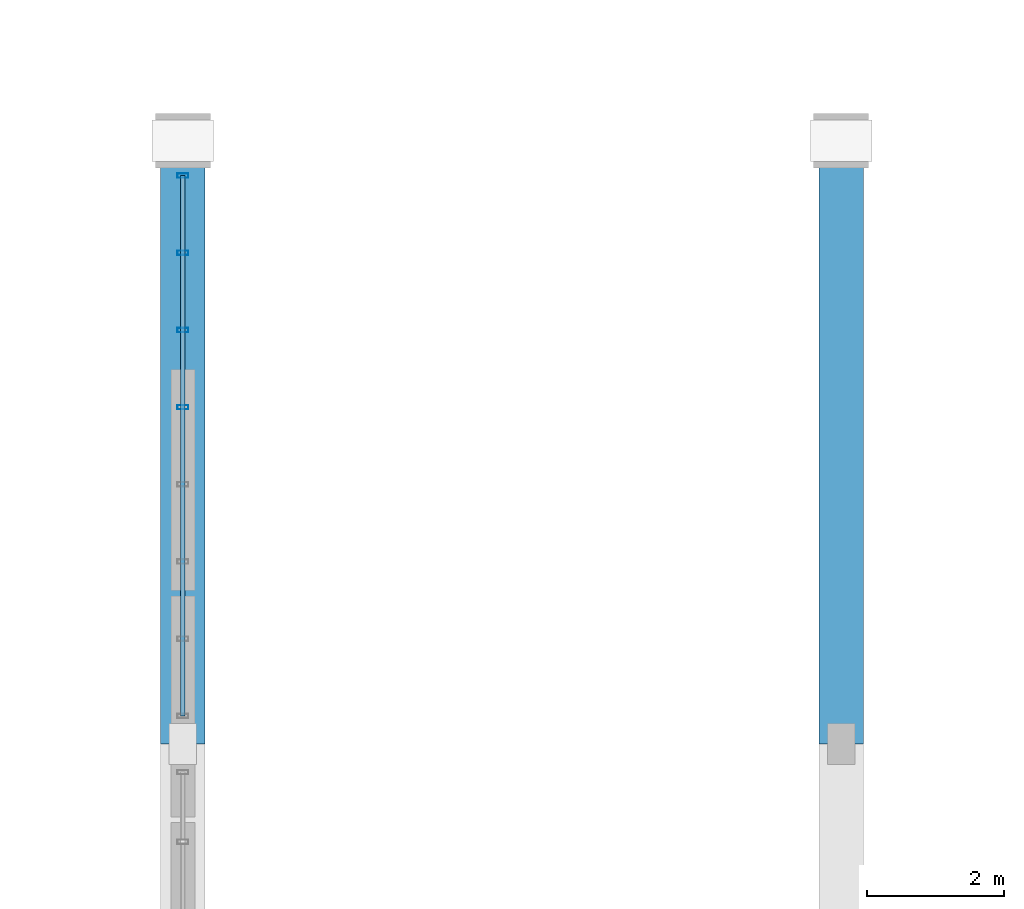
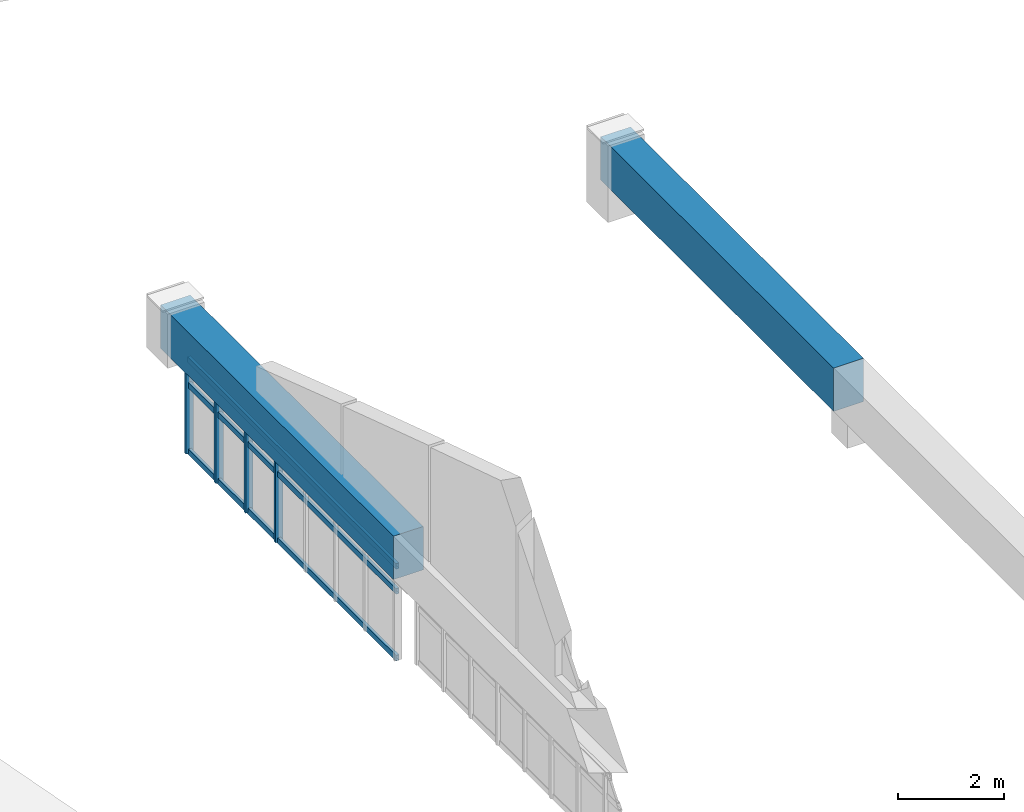
# One storey, part 14 of 65: 7 members, 2 beams, 1 element without a shape of its own.
"""IFC4 building model written with IfcOpenShell, lengths in metres."""

import ifcopenshell
import ifcopenshell.guid

model = None  # the IFC model being written
_history = None  # IfcOwnerHistory: only IFC2X3 demands one
_inside = {}  # id of a spatial element -> (the spatial element, [elements in it])
_under = {}  # id of a project, library or spatial element -> (it, [spatial elements below it])
_declared = {}  # id of a project -> (the project, [libraries it declares])
_typed = {}  # id of a type object -> (the type object, [elements of that type])
_made_of = {}  # id of a material, layer set ... -> (it, [elements and type objects made of it])


def new_model(schema):
    """Start an empty IFC model of exactly this schema.

    Asked for "IFC4X3", IfcOpenShell would pick the latest addendum, in which some entities
    have other attributes; the version numbers below select the first issue.
    IFC2X3 requires an IfcOwnerHistory on every rooted entity: one is made here for all.
    """
    global model, _history
    if schema == "IFC4X3":
        model = ifcopenshell.file(schema_version=(4, 3, 0, 0))
    else:
        model = ifcopenshell.file(schema=schema)
    _inside.clear()
    _under.clear()
    _declared.clear()
    _typed.clear()
    _made_of.clear()
    _history = None
    if model.schema == "IFC2X3":
        org = make("IfcOrganization", Name="unknown")
        user = make(
            "IfcPersonAndOrganization",
            ThePerson=make("IfcPerson", FamilyName="unknown"),
            TheOrganization=org,
        )
        app = make(
            "IfcApplication",
            ApplicationDeveloper=org,
            Version="unknown",
            ApplicationFullName="unknown",
            ApplicationIdentifier="unknown",
        )
        _history = make(
            "IfcOwnerHistory",
            OwningUser=user,
            OwningApplication=app,
            ChangeAction="ADDED",
            CreationDate=0,
        )
    return model


def make(cls, **values):
    """One entity of the class cls with the attributes given. An attribute that is None is left unset."""
    return model.create_entity(
        cls, **{name: value for name, value in values.items() if value is not None}
    )


def rooted(cls, **values):
    """An entity with a GlobalId (a new one), such as an element, a storey or a relation."""
    return make(cls, GlobalId=ifcopenshell.guid.new(), OwnerHistory=_history, **values)


def si_unit(unit_type, name, prefix=None):
    """IfcSIUnit, for example si_unit("LENGTHUNIT", "METRE", prefix="MILLI")."""
    return make("IfcSIUnit", UnitType=unit_type, Prefix=prefix, Name=name)


def assignment(units):
    """IfcUnitAssignment: the units of a project."""
    return None if units is None else make("IfcUnitAssignment", Units=units)


def point(xyz):
    """IfcCartesianPoint."""
    return None if xyz is None else make("IfcCartesianPoint", Coordinates=xyz)


def direction(xyz):
    """IfcDirection."""
    return None if xyz is None else make("IfcDirection", DirectionRatios=xyz)


def frame(location, z_axis=None, x_axis=None):
    """IfcAxis2Placement3D, a coordinate frame: its origin and axes. An axis left out is left unset."""
    return make(
        "IfcAxis2Placement3D",
        Location=point(location),
        Axis=direction(z_axis),
        RefDirection=direction(x_axis),
    )


def frame_2d(location, x_axis=None):
    """IfcAxis2Placement2D, a coordinate frame in the plane: its origin and x axis."""
    return make(
        "IfcAxis2Placement2D", Location=point(location), RefDirection=direction(x_axis)
    )


def origin():
    """The frame at (0, 0, 0) with its axes left unset."""
    return frame((0.0, 0.0, 0.0))


def origin_2d():
    """The frame at (0, 0) in the plane with its x axis left unset."""
    return frame_2d((0.0, 0.0))


def place(relative_to, where):
    """IfcLocalPlacement: puts the frame where relative to a parent placement (None: the world)."""
    return make(
        "IfcLocalPlacement", PlacementRelTo=relative_to, RelativePlacement=where
    )


def context(
    kind, dimensions, precision=None, world=None, true_north=None, identifier=None
):
    """IfcGeometricRepresentationContext, for example the 3D "Model" context."""
    return make(
        "IfcGeometricRepresentationContext",
        ContextIdentifier=identifier,
        ContextType=kind,
        CoordinateSpaceDimension=dimensions,
        Precision=precision,
        WorldCoordinateSystem=world,
        TrueNorth=true_north,
    )


def subcontext(parent, identifier, kind, view, scale=None):
    """IfcGeometricRepresentationSubContext, for example "Body" below "Model"."""
    return make(
        "IfcGeometricRepresentationSubContext",
        ContextIdentifier=identifier,
        ContextType=kind,
        ParentContext=parent,
        TargetScale=scale,
        TargetView=view,
    )


def project(units=None, contexts=None):
    """IfcProject with its units and contexts."""
    return rooted(
        "IfcProject",
        Name="project",
        RepresentationContexts=contexts,
        UnitsInContext=assignment(units),
    )


def spatial(cls, under=None, at=None, **own):
    """A site, building, storey or space (cls), placed at a placement, below another one or the project."""
    s = rooted(cls, ObjectPlacement=at, **own)
    if under is not None:
        _under.setdefault(under.id(), (under, []))[1].append(s)
    return s


def profile(cls, at=None, kind="AREA", **sizes):
    """A parametric profile (cls). Its sizes go by their IFC names, for example OverallWidth=200.0."""
    return make(cls, ProfileType=kind, Position=at, **sizes)


def rectangle(**sizes):
    """IfcRectangleProfileDef."""
    return profile("IfcRectangleProfileDef", **sizes)


def hollow_rectangle(**sizes):
    """IfcRectangleHollowProfileDef."""
    return profile("IfcRectangleHollowProfileDef", **sizes)


def extrude(swept, where, along, depth):
    """IfcExtrudedAreaSolid: the profile swept, set in the frame where, extruded along a direction by depth."""
    return make(
        "IfcExtrudedAreaSolid",
        SweptArea=swept,
        Position=where,
        ExtrudedDirection=direction(along),
        Depth=depth,
    )


def shape(context_of_items, identifier, shape_type, items):
    """IfcShapeRepresentation: the items that make up one representation, for example the "Body"."""
    return make(
        "IfcShapeRepresentation",
        ContextOfItems=context_of_items,
        RepresentationIdentifier=identifier,
        RepresentationType=shape_type,
        Items=items,
    )


def material(Name=None, Category=None):
    """IfcMaterial."""
    return make("IfcMaterial", Name=Name, Category=Category)


def layer(
    of_material, thickness, ventilated=None, Name=None, Category=None, Priority=None
):
    """IfcMaterialLayer: one layer of a wall or slab, of a material (None: an air gap)."""
    return make(
        "IfcMaterialLayer",
        Material=of_material,
        LayerThickness=thickness,
        IsVentilated=ventilated,
        Name=Name,
        Category=Category,
        Priority=Priority,
    )


def layer_set(layers, Name=None):
    """IfcMaterialLayerSet."""
    return make("IfcMaterialLayerSet", MaterialLayers=layers, LayerSetName=Name)


def material_profile(
    of_material, cross_section, Name=None, Category=None, Priority=None
):
    """IfcMaterialProfile: a cross section and its material."""
    return make(
        "IfcMaterialProfile",
        Name=Name,
        Material=of_material,
        Profile=cross_section,
        Priority=Priority,
        Category=Category,
    )


def profile_set(profiles, Name=None, composite=None):
    """IfcMaterialProfileSet."""
    return make(
        "IfcMaterialProfileSet",
        Name=Name,
        MaterialProfiles=profiles,
        CompositeProfile=composite,
    )


def made_of(thing, what):
    """Note that an element or type object is made of a material, layer set ...; save() writes the relation."""
    if what is not None:
        _made_of.setdefault(what.id(), (what, []))[1].append(thing)
    return thing


def type_object(cls, material=None, **own):
    """A type object (cls), such as IfcWallType, which elements share."""
    return made_of(rooted(cls, **own), material)


def element(
    cls,
    number,
    at=None,
    inside=None,
    cuts=None,
    type_object=None,
    material=None,
    context=None,
    identifier="Body",
    shape_type=None,
    held_by="IfcProductDefinitionShape",
    body=None,
    shapes=None,
    **own,
):
    """One element of the class cls, such as IfcWall. Its Tag is "e" and its number.

    at: its placement. inside: the storey or other place that contains it. cuts: it is an
    opening in that element (IfcRelVoidsElement). A single representation is given by context,
    identifier, shape_type and body (its items); several are given by shapes. held_by: the class
    of the entity that holds the representations. save() writes the other relations.
    """
    e = rooted(cls, Tag="e%d" % number, ObjectPlacement=at, **own)
    if body is not None:
        shapes = [shape(context, identifier, shape_type, body)]
    if shapes is not None:
        e.Representation = make(held_by, Representations=shapes)
    if inside is not None:
        _inside.setdefault(inside.id(), (inside, []))[1].append(e)
    if cuts is not None:
        rooted(
            "IfcRelVoidsElement", RelatingBuildingElement=cuts, RelatedOpeningElement=e
        )
    if type_object is not None:
        _typed.setdefault(type_object.id(), (type_object, []))[1].append(e)
    return made_of(e, material)


def aggregate(whole, parts):
    """IfcRelAggregates: a whole, such as a stair, and the parts it consists of."""
    return rooted("IfcRelAggregates", RelatingObject=whole, RelatedObjects=parts)


def save(model, path):
    """Write the relations noted so far, then the file.

    IfcRelAggregates (storeys below a building ...), IfcRelContainedInSpatialStructure (elements
    in a storey), IfcRelDefinesByType, IfcRelAssociatesMaterial and IfcRelDeclares: one each for
    every whole, place, type object, material and project.
    """
    for whole, parts in _under.values():
        aggregate(whole, parts)
    for where, things in _inside.values():
        rooted(
            "IfcRelContainedInSpatialStructure",
            RelatedElements=things,
            RelatingStructure=where,
        )
    for kind, things in _typed.values():
        rooted("IfcRelDefinesByType", RelatedObjects=things, RelatingType=kind)
    for what, things in _made_of.values():
        rooted("IfcRelAssociatesMaterial", RelatedObjects=things, RelatingMaterial=what)
    for by, libraries in _declared.values():
        rooted("IfcRelDeclares", RelatingContext=by, RelatedDefinitions=libraries)
    model.write(path)


model = new_model("IFC4")

# Units and contexts
model_context = context("Model", 3, precision=1e-05, world=origin(), true_north=direction((0.0, 1.0)))
body_context = subcontext(model_context, "Body", "Model", "MODEL_VIEW")
ifc_project = project(units=[si_unit("LENGTHUNIT", "METRE"), si_unit("AREAUNIT", "SQUARE_METRE"), si_unit("VOLUMEUNIT", "CUBIC_METRE"), si_unit("PLANEANGLEUNIT", "RADIAN"), si_unit("MASSUNIT", "GRAM", prefix="KILO")], contexts=[model_context])

# Site, building, storey
site_placement = place(None, origin())
site = spatial("IfcSite", under=ifc_project, at=site_placement, CompositionType="ELEMENT")
building_placement = place(site_placement, origin())
building = spatial("IfcBuilding", under=site, at=building_placement, Name="Chalmorin Arch Market", CompositionType="ELEMENT")
storey_placement = place(building_placement, frame((0.0, 0.0, 14.10009765625)))
storey = spatial("IfcBuildingStorey", under=building, at=storey_placement, Name="L03", CompositionType="ELEMENT", Elevation=14.10009765625)

# Beams
ifc_material_1 = material(Name="Concrete C50/60", Category="concrete")
ifc_material_profile_1 = material_profile(ifc_material_1, rectangle(XDim=0.64990234375, YDim=1.0, at=origin_2d()), Name="RC650X1000")
ifc_profile_set_1 = profile_set([ifc_material_profile_1], Name="Concrete C50/60")
beam_type = type_object("IfcBeamType", Name="ArchTieGirder-650x1000", PredefinedType="BEAM", material=ifc_profile_set_1)
for number, where, z_axis, x_axis, name in (
    (1, (48.0, 50.0, 0.699951171875), (0.0, 1.0, 0.0), (-1.0, 0.0, 0.0), "ATG-01-1603"),
    (2, (57.60009765625, 50.0, 1.216552734375), (0.0, 1.0, 0.0), (-1.0, 0.0, 0.0), "ATG-01-1622"),
):
    element("IfcBeam", number, at=place(storey_placement, frame(where, z_axis=z_axis, x_axis=x_axis)), inside=storey, type_object=beam_type, Name=name, PredefinedType="BEAM", context=body_context, shape_type="SweptSolid", body=[
        extrude(rectangle(XDim=0.64990234375, YDim=1.0, at=origin_2d()), origin(), (0.0, 0.0, 1.0), 8.800048828125),
    ])

# Curtain wall, members
ifc_material_2 = material(Name="Aluminium 6063-T6", Category="aluminium")
ifc_layer = layer(ifc_material_2, 0.159912109375)
ifc_layer_set = layer_set([ifc_layer], Name="Aluminium 6063-T6")
curtain_wall_type = type_object("IfcCurtainWallType", Name="GableTympanumCurtainWall-CW4-7880x2180", PredefinedType="NOTDEFINED", material=ifc_layer_set)
curtain_wall_placement = place(storey_placement, origin())
curtain_wall = element("IfcCurtainWall", 3, at=curtain_wall_placement, inside=storey, type_object=curtain_wall_type, Name="CW-04-036", PredefinedType="NOTDEFINED")
ifc_material_profile_2 = material_profile(ifc_material_2, hollow_rectangle(XDim=0.06494140625, YDim=0.159912109375, WallThickness=0.00390625, at=origin_2d()), Name="ALU65X160X4")
ifc_profile_set_2 = profile_set([ifc_material_profile_2], Name="Aluminium 6063-T6")
member_type_1 = type_object("IfcMemberType", Name="CurtainWallMullion-65x160", PredefinedType="MULLION", material=ifc_profile_set_2)
member_1_placement = place(storey_placement, frame((48.0, 54.912841796875, -2.0), z_axis=(0.0, 0.0, 1.0), x_axis=(0.0, 1.0, 0.0)))
member_1 = element("IfcMember", 4, at=member_1_placement, type_object=member_type_1, Name="ML-036-05", PredefinedType="MULLION", context=body_context, shape_type="SweptSolid", body=[
    extrude(hollow_rectangle(XDim=0.06494140625, YDim=0.159912109375, WallThickness=0.00390625, at=origin_2d()), origin(), (0.0, 0.0, 1.0), 2.184814453125),
])
member_2_placement = place(storey_placement, frame((48.0, 56.03857421875, -2.0), z_axis=(0.0, 0.0, 1.0), x_axis=(0.0, 1.0, 0.0)))
member_2 = element("IfcMember", 5, at=member_2_placement, type_object=member_type_1, Name="ML-036-06", PredefinedType="MULLION", context=body_context, shape_type="SweptSolid", body=[
    extrude(hollow_rectangle(XDim=0.06494140625, YDim=0.159912109375, WallThickness=0.00390625, at=origin_2d()), origin(), (0.0, 0.0, 1.0), 2.184814453125),
])
member_3_placement = place(storey_placement, frame((48.0, 57.164306640625, -2.0), z_axis=(0.0, 0.0, 1.0), x_axis=(0.0, 1.0, 0.0)))
member_3 = element("IfcMember", 6, at=member_3_placement, type_object=member_type_1, Name="ML-036-07", PredefinedType="MULLION", context=body_context, shape_type="SweptSolid", body=[
    extrude(hollow_rectangle(XDim=0.06494140625, YDim=0.159912109375, WallThickness=0.00390625, at=origin_2d()), origin(), (0.0, 0.0, 1.0), 2.184814453125),
])
member_4_placement = place(storey_placement, frame((48.0, 58.2900390625, -2.0), z_axis=(0.0, 0.0, 1.0), x_axis=(0.0, 1.0, 0.0)))
member_4 = element("IfcMember", 7, at=member_4_placement, type_object=member_type_1, Name="ML-036-08", PredefinedType="MULLION", context=body_context, shape_type="SweptSolid", body=[
    extrude(hollow_rectangle(XDim=0.06494140625, YDim=0.159912109375, WallThickness=0.00390625, at=origin_2d()), origin(), (0.0, 0.0, 1.0), 2.184814453125),
])
ifc_material_profile_3 = material_profile(ifc_material_2, hollow_rectangle(XDim=0.06494140625, YDim=0.1298828125, WallThickness=0.00390625, at=origin_2d()), Name="ALU65X130X4")
ifc_profile_set_3 = profile_set([ifc_material_profile_3], Name="Aluminium 6063-T6")
member_type_2 = type_object("IfcMemberType", Name="CurtainWallTransom-65x130", PredefinedType="USERDEFINED", material=ifc_profile_set_3)
member_5_placement = place(storey_placement, frame((48.0, 50.409912109375, -1.965087890625), z_axis=(0.0, 1.0, 0.0), x_axis=(-1.0, 0.0, 0.0)))
member_5 = element("IfcMember", 8, at=member_5_placement, type_object=member_type_2, Name="TR-036-01", ObjectType="TRANSOM", PredefinedType="USERDEFINED", context=body_context, shape_type="SweptSolid", body=[
    extrude(hollow_rectangle(XDim=0.06494140625, YDim=0.1298828125, WallThickness=0.00390625, at=origin_2d()), origin(), (0.0, 0.0, 1.0), 7.880126953125),
])
member_6_placement = place(storey_placement, frame((48.0, 50.409912109375, -0.427001953125), z_axis=(0.0, 1.0, 0.0), x_axis=(-1.0, 0.0, 0.0)))
member_6 = element("IfcMember", 9, at=member_6_placement, type_object=member_type_2, Name="TR-036-02", ObjectType="TRANSOM", PredefinedType="USERDEFINED", context=body_context, shape_type="SweptSolid", body=[
    extrude(hollow_rectangle(XDim=0.06494140625, YDim=0.1298828125, WallThickness=0.00390625, at=origin_2d()), origin(), (0.0, 0.0, 1.0), 7.880126953125),
])
member_7_placement = place(storey_placement, frame((48.0, 50.409912109375, 0.14990234375), z_axis=(0.0, 1.0, 0.0), x_axis=(-1.0, 0.0, 0.0)))
member_7 = element("IfcMember", 10, at=member_7_placement, type_object=member_type_2, Name="TR-036-03", ObjectType="TRANSOM", PredefinedType="USERDEFINED", context=body_context, shape_type="SweptSolid", body=[
    extrude(hollow_rectangle(XDim=0.06494140625, YDim=0.1298828125, WallThickness=0.00390625, at=origin_2d()), origin(), (0.0, 0.0, 1.0), 7.880126953125),
])
aggregate(curtain_wall, [member_1, member_2, member_3, member_4, member_5, member_6, member_7])

save(model, "model.ifc")
